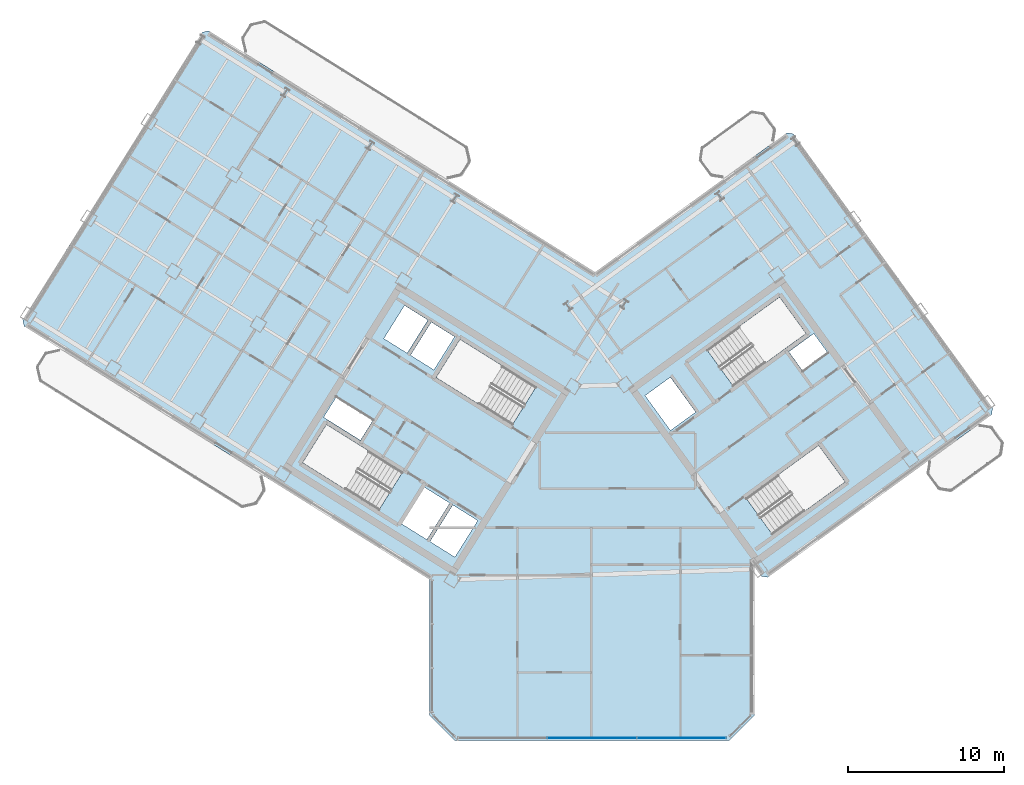
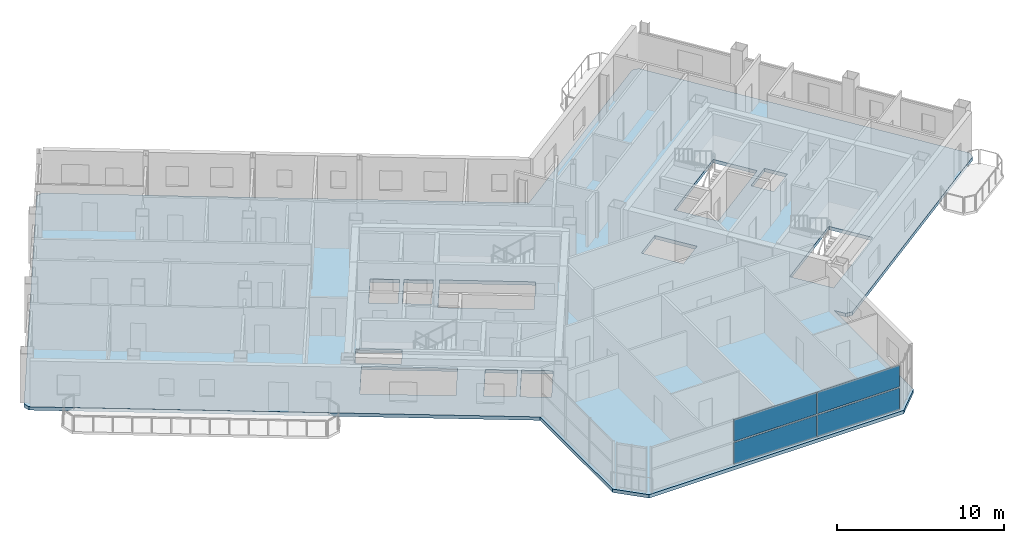
# One storey, part 9 of 21: 4 plates, 1 slab, 1 element without a shape of its own.
"""IFC4 building model written with IfcOpenShell, lengths in metres."""

import ifcopenshell
import ifcopenshell.guid

model = None  # the IFC model being written
_history = None  # IfcOwnerHistory: only IFC2X3 demands one
_inside = {}  # id of a spatial element -> (the spatial element, [elements in it])
_under = {}  # id of a project, library or spatial element -> (it, [spatial elements below it])
_declared = {}  # id of a project -> (the project, [libraries it declares])
_typed = {}  # id of a type object -> (the type object, [elements of that type])
_made_of = {}  # id of a material, layer set ... -> (it, [elements and type objects made of it])


def new_model(schema):
    """Start an empty IFC model of exactly this schema.

    Asked for "IFC4X3", IfcOpenShell would pick the latest addendum, in which some entities
    have other attributes; the version numbers below select the first issue.
    IFC2X3 requires an IfcOwnerHistory on every rooted entity: one is made here for all.
    """
    global model, _history
    if schema == "IFC4X3":
        model = ifcopenshell.file(schema_version=(4, 3, 0, 0))
    else:
        model = ifcopenshell.file(schema=schema)
    _inside.clear()
    _under.clear()
    _declared.clear()
    _typed.clear()
    _made_of.clear()
    _history = None
    if model.schema == "IFC2X3":
        org = make("IfcOrganization", Name="unknown")
        user = make(
            "IfcPersonAndOrganization",
            ThePerson=make("IfcPerson", FamilyName="unknown"),
            TheOrganization=org,
        )
        app = make(
            "IfcApplication",
            ApplicationDeveloper=org,
            Version="unknown",
            ApplicationFullName="unknown",
            ApplicationIdentifier="unknown",
        )
        _history = make(
            "IfcOwnerHistory",
            OwningUser=user,
            OwningApplication=app,
            ChangeAction="ADDED",
            CreationDate=0,
        )
    return model


def make(cls, **values):
    """One entity of the class cls with the attributes given. An attribute that is None is left unset."""
    return model.create_entity(
        cls, **{name: value for name, value in values.items() if value is not None}
    )


def rooted(cls, **values):
    """An entity with a GlobalId (a new one), such as an element, a storey or a relation."""
    return make(cls, GlobalId=ifcopenshell.guid.new(), OwnerHistory=_history, **values)


def si_unit(unit_type, name, prefix=None):
    """IfcSIUnit, for example si_unit("LENGTHUNIT", "METRE", prefix="MILLI")."""
    return make("IfcSIUnit", UnitType=unit_type, Prefix=prefix, Name=name)


def assignment(units):
    """IfcUnitAssignment: the units of a project."""
    return None if units is None else make("IfcUnitAssignment", Units=units)


def point(xyz):
    """IfcCartesianPoint."""
    return None if xyz is None else make("IfcCartesianPoint", Coordinates=xyz)


def direction(xyz):
    """IfcDirection."""
    return None if xyz is None else make("IfcDirection", DirectionRatios=xyz)


def frame(location, z_axis=None, x_axis=None):
    """IfcAxis2Placement3D, a coordinate frame: its origin and axes. An axis left out is left unset."""
    return make(
        "IfcAxis2Placement3D",
        Location=point(location),
        Axis=direction(z_axis),
        RefDirection=direction(x_axis),
    )


def frame_2d(location, x_axis=None):
    """IfcAxis2Placement2D, a coordinate frame in the plane: its origin and x axis."""
    return make(
        "IfcAxis2Placement2D", Location=point(location), RefDirection=direction(x_axis)
    )


def origin():
    """The frame at (0, 0, 0) with its axes left unset."""
    return frame((0.0, 0.0, 0.0))


def origin_2d():
    """The frame at (0, 0) in the plane with its x axis left unset."""
    return frame_2d((0.0, 0.0))


def place(relative_to, where):
    """IfcLocalPlacement: puts the frame where relative to a parent placement (None: the world)."""
    return make(
        "IfcLocalPlacement", PlacementRelTo=relative_to, RelativePlacement=where
    )


def context(
    kind, dimensions, precision=None, world=None, true_north=None, identifier=None
):
    """IfcGeometricRepresentationContext, for example the 3D "Model" context."""
    return make(
        "IfcGeometricRepresentationContext",
        ContextIdentifier=identifier,
        ContextType=kind,
        CoordinateSpaceDimension=dimensions,
        Precision=precision,
        WorldCoordinateSystem=world,
        TrueNorth=true_north,
    )


def subcontext(parent, identifier, kind, view, scale=None):
    """IfcGeometricRepresentationSubContext, for example "Body" below "Model"."""
    return make(
        "IfcGeometricRepresentationSubContext",
        ContextIdentifier=identifier,
        ContextType=kind,
        ParentContext=parent,
        TargetScale=scale,
        TargetView=view,
    )


def project(units=None, contexts=None):
    """IfcProject with its units and contexts."""
    return rooted(
        "IfcProject",
        Name="project",
        RepresentationContexts=contexts,
        UnitsInContext=assignment(units),
    )


def spatial(cls, under=None, at=None, **own):
    """A site, building, storey or space (cls), placed at a placement, below another one or the project."""
    s = rooted(cls, ObjectPlacement=at, **own)
    if under is not None:
        _under.setdefault(under.id(), (under, []))[1].append(s)
    return s


def polyline(points):
    """IfcPolyline through the points."""
    return make("IfcPolyline", Points=[point(p) for p in points])


def profile(cls, at=None, kind="AREA", **sizes):
    """A parametric profile (cls). Its sizes go by their IFC names, for example OverallWidth=200.0."""
    return make(cls, ProfileType=kind, Position=at, **sizes)


def rectangle(**sizes):
    """IfcRectangleProfileDef."""
    return profile("IfcRectangleProfileDef", **sizes)


def outline(outer, holes=None, kind="AREA"):
    """IfcArbitraryClosedProfileDef: a profile drawn as a closed curve; with holes, ...WithVoids."""
    if holes is None:
        return make("IfcArbitraryClosedProfileDef", ProfileType=kind, OuterCurve=outer)
    return make(
        "IfcArbitraryProfileDefWithVoids",
        ProfileType=kind,
        OuterCurve=outer,
        InnerCurves=holes,
    )


def extrude(swept, where, along, depth):
    """IfcExtrudedAreaSolid: the profile swept, set in the frame where, extruded along a direction by depth."""
    return make(
        "IfcExtrudedAreaSolid",
        SweptArea=swept,
        Position=where,
        ExtrudedDirection=direction(along),
        Depth=depth,
    )


def shape(context_of_items, identifier, shape_type, items):
    """IfcShapeRepresentation: the items that make up one representation, for example the "Body"."""
    return make(
        "IfcShapeRepresentation",
        ContextOfItems=context_of_items,
        RepresentationIdentifier=identifier,
        RepresentationType=shape_type,
        Items=items,
    )


def source(mapping_origin, context_of_items, identifier, shape_type, items):
    """IfcRepresentationMap: a shape defined once, which mapped items show again and again."""
    return make(
        "IfcRepresentationMap",
        MappingOrigin=mapping_origin,
        MappedRepresentation=shape(context_of_items, identifier, shape_type, items),
    )


def transform(
    local_origin,
    x_axis=None,
    y_axis=None,
    z_axis=None,
    scale=None,
    scale2=None,
    scale3=None,
    uniform=True,
):
    """IfcCartesianTransformationOperator3D, or its non-uniform kind. x_axis, y_axis, z_axis: its Axis1, 2, 3."""
    if uniform:
        return make(
            "IfcCartesianTransformationOperator3D",
            Axis1=direction(x_axis),
            Axis2=direction(y_axis),
            LocalOrigin=point(local_origin),
            Scale=scale,
            Axis3=direction(z_axis),
        )
    return make(
        "IfcCartesianTransformationOperator3DnonUniform",
        Axis1=direction(x_axis),
        Axis2=direction(y_axis),
        LocalOrigin=point(local_origin),
        Scale=scale,
        Axis3=direction(z_axis),
        Scale2=scale2,
        Scale3=scale3,
    )


def mapped(mapping_source, mapping_target):
    """IfcMappedItem: shows the shape of a source again, moved by a transform."""
    return make(
        "IfcMappedItem", MappingSource=mapping_source, MappingTarget=mapping_target
    )


def material(Name=None, Category=None):
    """IfcMaterial."""
    return make("IfcMaterial", Name=Name, Category=Category)


def layer(
    of_material, thickness, ventilated=None, Name=None, Category=None, Priority=None
):
    """IfcMaterialLayer: one layer of a wall or slab, of a material (None: an air gap)."""
    return make(
        "IfcMaterialLayer",
        Material=of_material,
        LayerThickness=thickness,
        IsVentilated=ventilated,
        Name=Name,
        Category=Category,
        Priority=Priority,
    )


def layer_set(layers, Name=None):
    """IfcMaterialLayerSet."""
    return make("IfcMaterialLayerSet", MaterialLayers=layers, LayerSetName=Name)


def made_of(thing, what):
    """Note that an element or type object is made of a material, layer set ...; save() writes the relation."""
    if what is not None:
        _made_of.setdefault(what.id(), (what, []))[1].append(thing)
    return thing


def type_object(cls, material=None, **own):
    """A type object (cls), such as IfcWallType, which elements share."""
    return made_of(rooted(cls, **own), material)


def element(
    cls,
    number,
    at=None,
    inside=None,
    cuts=None,
    type_object=None,
    material=None,
    context=None,
    identifier="Body",
    shape_type=None,
    held_by="IfcProductDefinitionShape",
    body=None,
    shapes=None,
    **own,
):
    """One element of the class cls, such as IfcWall. Its Tag is "e" and its number.

    at: its placement. inside: the storey or other place that contains it. cuts: it is an
    opening in that element (IfcRelVoidsElement). A single representation is given by context,
    identifier, shape_type and body (its items); several are given by shapes. held_by: the class
    of the entity that holds the representations. save() writes the other relations.
    """
    e = rooted(cls, Tag="e%d" % number, ObjectPlacement=at, **own)
    if body is not None:
        shapes = [shape(context, identifier, shape_type, body)]
    if shapes is not None:
        e.Representation = make(held_by, Representations=shapes)
    if inside is not None:
        _inside.setdefault(inside.id(), (inside, []))[1].append(e)
    if cuts is not None:
        rooted(
            "IfcRelVoidsElement", RelatingBuildingElement=cuts, RelatedOpeningElement=e
        )
    if type_object is not None:
        _typed.setdefault(type_object.id(), (type_object, []))[1].append(e)
    return made_of(e, material)


def aggregate(whole, parts):
    """IfcRelAggregates: a whole, such as a stair, and the parts it consists of."""
    return rooted("IfcRelAggregates", RelatingObject=whole, RelatedObjects=parts)


def save(model, path):
    """Write the relations noted so far, then the file.

    IfcRelAggregates (storeys below a building ...), IfcRelContainedInSpatialStructure (elements
    in a storey), IfcRelDefinesByType, IfcRelAssociatesMaterial and IfcRelDeclares: one each for
    every whole, place, type object, material and project.
    """
    for whole, parts in _under.values():
        aggregate(whole, parts)
    for where, things in _inside.values():
        rooted(
            "IfcRelContainedInSpatialStructure",
            RelatedElements=things,
            RelatingStructure=where,
        )
    for kind, things in _typed.values():
        rooted("IfcRelDefinesByType", RelatedObjects=things, RelatingType=kind)
    for what, things in _made_of.values():
        rooted("IfcRelAssociatesMaterial", RelatedObjects=things, RelatingMaterial=what)
    for by, libraries in _declared.values():
        rooted("IfcRelDeclares", RelatingContext=by, RelatedDefinitions=libraries)
    model.write(path)


model = new_model("IFC4")

# Units and contexts
model_context = context("Model", 3, precision=1e-05, world=origin(), true_north=direction((0.0, 1.0)))
body_context = subcontext(model_context, "Body", "Model", "MODEL_VIEW")
ifc_project = project(units=[si_unit("LENGTHUNIT", "METRE"), si_unit("AREAUNIT", "SQUARE_METRE"), si_unit("VOLUMEUNIT", "CUBIC_METRE"), si_unit("PLANEANGLEUNIT", "RADIAN"), si_unit("MASSUNIT", "GRAM", prefix="KILO")], contexts=[model_context])

# Site, building, storey
site_placement = place(None, origin())
site = spatial("IfcSite", under=ifc_project, at=site_placement, CompositionType="ELEMENT")
building_placement = place(site_placement, origin())
building = spatial("IfcBuilding", under=site, at=building_placement, Name="Tlacorven Tower", CompositionType="ELEMENT")
storey_placement = place(building_placement, frame((0.0, 0.0, 222.0)))
storey = spatial("IfcBuildingStorey", under=building, at=storey_placement, Name="L56", CompositionType="ELEMENT", Elevation=222.0)

# Slab
ifc_material_1 = material(Name="Concrete C40/50", Category="concrete")
ifc_layer_1 = layer(ifc_material_1, 0.25)
ifc_layer_set_1 = layer_set([ifc_layer_1], Name="Concrete C40/50")
slab_type = type_object("IfcSlabType", Name="SL-TWR-250", PredefinedType="FLOOR", material=ifc_layer_set_1)
slab_placement = place(storey_placement, frame((0.0, 0.0, -0.25)))
element("IfcSlab", 1, at=slab_placement, inside=storey, type_object=slab_type, Name="L56 Boomerang Tower Floor Slab", PredefinedType="FLOOR", context=body_context, shape_type="SweptSolid", body=[
    extrude(outline(polyline([(52.39990234375, 3.39990234375), (50.800048828125, 1.800048828125), (33.199951171875, 1.800048828125), (31.60009765625, 3.39990234375), (31.60009765625, 12.09423828125), (5.62451171875, 28.32568359375), (5.529052734375, 28.739013671875), (17.0390625, 47.15869140625), (17.452392578125, 47.254150390625), (42.19970703125, 31.790283203125), (54.481689453125, 40.713623046875), (54.90087890625, 40.647216796875), (67.66748046875, 23.075439453125), (67.60107421875, 22.656494140625), (53.265380859375, 12.24072265625), (52.846435546875, 12.30712890625), (52.39990234375, 12.921630859375), (52.39990234375, 3.39990234375)]), holes=[polyline([(29.865478515625, 18.979736328125), (24.9892578125, 22.02685546875), (23.463134765625, 19.58447265625), (28.33935546875, 16.537353515625), (29.865478515625, 18.979736328125)]), polyline([(38.4169921875, 24.4375), (33.540771484375, 27.484375), (32.0146484375, 25.0419921875), (36.890869140625, 21.9951171875), (38.4169921875, 24.4375)]), polyline([(51.05908203125, 24.481689453125), (55.7109375, 27.861572265625), (54.01806640625, 30.19140625), (49.3662109375, 26.811767578125), (51.05908203125, 24.481689453125)]), polyline([(53.56298828125, 14.978759765625), (58.21484375, 18.3583984375), (56.52197265625, 20.6884765625), (51.8701171875, 17.30859375), (53.56298828125, 14.978759765625)]), polyline([(34.682373046875, 15.87548828125), (33.088134765625, 16.871826171875), (31.62548828125, 14.531005859375), (33.2197265625, 13.534912109375), (34.682373046875, 15.87548828125)]), polyline([(32.884521484375, 16.9990234375), (31.2392578125, 18.02685546875), (29.77685546875, 15.686279296875), (31.421875, 14.658203125), (32.884521484375, 16.9990234375)]), polyline([(47.0234375, 21.648681640625), (48.6416015625, 22.82421875), (47.019287109375, 25.05712890625), (45.401123046875, 23.881591796875), (47.0234375, 21.648681640625)]), polyline([(33.197265625, 27.65185546875), (31.704833984375, 28.58447265625), (30.3798828125, 26.46435546875), (31.87255859375, 25.53173828125), (33.197265625, 27.65185546875)]), polyline([(31.484375, 28.722412109375), (29.99169921875, 29.655029296875), (28.6669921875, 27.534912109375), (30.159423828125, 26.602294921875), (31.484375, 28.722412109375)]), polyline([(27.96142578125, 22.2919921875), (25.603759765625, 23.76513671875), (24.80908203125, 22.4931640625), (27.16650390625, 21.02001953125), (27.96142578125, 22.2919921875)]), polyline([(55.490478515625, 25.4765625), (57.092529296875, 26.640380859375), (56.210693359375, 27.85400390625), (54.60888671875, 26.690185546875), (55.490478515625, 25.4765625)])]), origin(), (0.0, 0.0, 1.0), 0.25),
])

# Curtain wall, plates
ifc_material_2 = material(Name="Dark solar low-E double glazing in aluminium frame", Category="aluminium")
curtain_wall_type = type_object("IfcCurtainWallType", Name="CW-TWR-HIGH", PredefinedType="USERDEFINED", material=ifc_material_2)
curtain_wall_placement = place(storey_placement, origin())
curtain_wall = element("IfcCurtainWall", 2, at=curtain_wall_placement, inside=storey, type_object=curtain_wall_type, Name="L56 CW-TWR-HIGH Curtain Wall 254", ObjectType="UNITISED CURTAIN WALL", PredefinedType="USERDEFINED")
ifc_material_3 = material(Name="High-wind dark solar tempered low-E glazing", Category="glass")
ifc_layer_2 = layer(ifc_material_3, 0.028076171875)
ifc_layer_set_2 = layer_set([ifc_layer_2], Name="High-wind dark solar tempered low-E glazing")
plate_type = type_object("IfcPlateType", Name="CWP-03", PredefinedType="CURTAIN_PANEL", material=ifc_layer_set_2)
shared_shape_1 = source(origin(), body_context, "Body", "SweptSolid", [
    extrude(rectangle(XDim=5.683837890625, YDim=0.028076171875, at=origin_2d()), origin(), (0.0, 0.0, 1.0), 1.572998046875),
])
plate_1_placement = place(storey_placement, frame((47.74072265625, 1.9599609375, 0.05078125), z_axis=(0.0, 0.0, 1.0), x_axis=(-1.0, 0.0, 0.0)))
plate_1 = element("IfcPlate", 3, at=plate_1_placement, type_object=plate_type, Name="CW-L56-254 Glazing Panel 1", PredefinedType="CURTAIN_PANEL", context=body_context, shape_type="MappedRepresentation", body=[
    mapped(shared_shape_1, transform((0.0, 0.0, 0.0), scale=1.0)),
])
plate_2_placement = place(storey_placement, frame((47.74072265625, 1.9599609375, 1.72607421875), z_axis=(0.0, 0.0, 1.0), x_axis=(-1.0, 0.0, 0.0)))
plate_2 = element("IfcPlate", 4, at=plate_2_placement, type_object=plate_type, Name="CW-L56-254 Glazing Panel 2", PredefinedType="CURTAIN_PANEL", context=body_context, shape_type="MappedRepresentation", body=[
    mapped(shared_shape_1, transform((0.0, 0.0, 0.0), scale=1.0)),
])
shared_shape_2 = source(origin(), body_context, "Body", "SweptSolid", [
    extrude(rectangle(XDim=5.7138671875, YDim=0.028076171875, at=origin_2d()), origin(), (0.0, 0.0, 1.0), 1.572998046875),
])
plate_3_placement = place(storey_placement, frame((42.0, 1.9599609375, 0.05078125), z_axis=(0.0, 0.0, 1.0), x_axis=(-1.0, 0.0, 0.0)))
plate_3 = element("IfcPlate", 5, at=plate_3_placement, type_object=plate_type, Name="CW-L56-254 Glazing Panel 3", PredefinedType="CURTAIN_PANEL", context=body_context, shape_type="MappedRepresentation", body=[
    mapped(shared_shape_2, transform((0.0, 0.0, 0.0), scale=1.0)),
])
plate_4_placement = place(storey_placement, frame((42.0, 1.9599609375, 1.72607421875), z_axis=(0.0, 0.0, 1.0), x_axis=(-1.0, 0.0, 0.0)))
plate_4 = element("IfcPlate", 6, at=plate_4_placement, type_object=plate_type, Name="CW-L56-254 Glazing Panel 4", PredefinedType="CURTAIN_PANEL", context=body_context, shape_type="MappedRepresentation", body=[
    mapped(shared_shape_2, transform((0.0, 0.0, 0.0), scale=1.0)),
])
aggregate(curtain_wall, [plate_1, plate_2, plate_3, plate_4])

save(model, "model.ifc")
